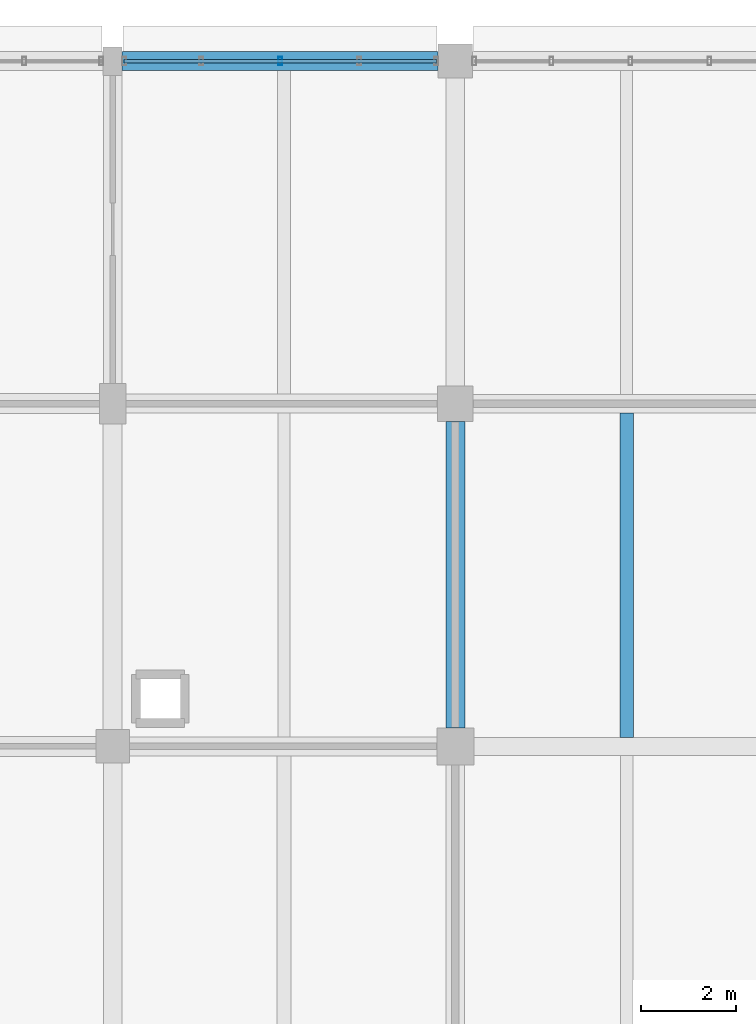
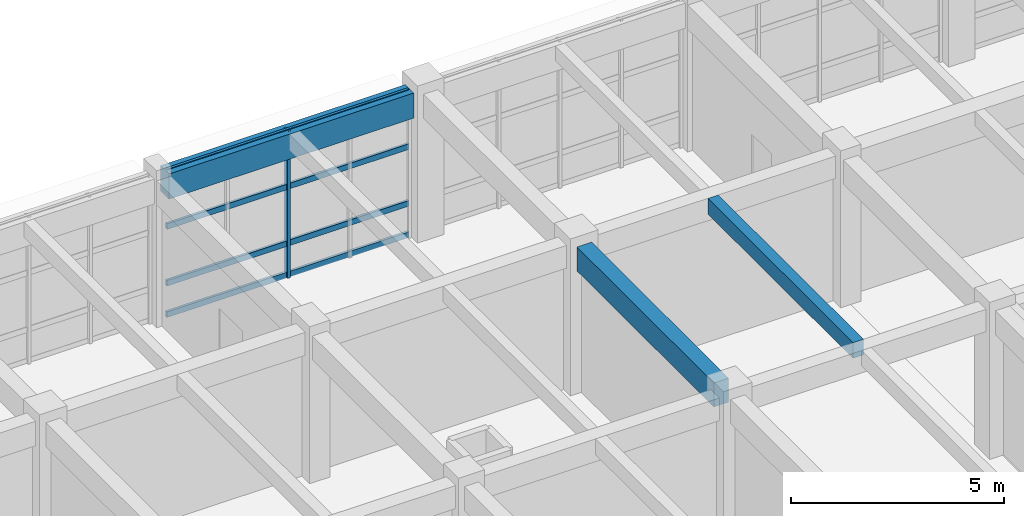
# One storey, part 69 of 171: 5 members, 3 beams, 1 element without a shape of its own.
"""IFC4 building model written with IfcOpenShell, lengths in metres."""

import ifcopenshell
import ifcopenshell.guid

model = None  # the IFC model being written
_history = None  # IfcOwnerHistory: only IFC2X3 demands one
_inside = {}  # id of a spatial element -> (the spatial element, [elements in it])
_under = {}  # id of a project, library or spatial element -> (it, [spatial elements below it])
_declared = {}  # id of a project -> (the project, [libraries it declares])
_typed = {}  # id of a type object -> (the type object, [elements of that type])
_made_of = {}  # id of a material, layer set ... -> (it, [elements and type objects made of it])


def new_model(schema):
    """Start an empty IFC model of exactly this schema.

    Asked for "IFC4X3", IfcOpenShell would pick the latest addendum, in which some entities
    have other attributes; the version numbers below select the first issue.
    IFC2X3 requires an IfcOwnerHistory on every rooted entity: one is made here for all.
    """
    global model, _history
    if schema == "IFC4X3":
        model = ifcopenshell.file(schema_version=(4, 3, 0, 0))
    else:
        model = ifcopenshell.file(schema=schema)
    _inside.clear()
    _under.clear()
    _declared.clear()
    _typed.clear()
    _made_of.clear()
    _history = None
    if model.schema == "IFC2X3":
        org = make("IfcOrganization", Name="unknown")
        user = make(
            "IfcPersonAndOrganization",
            ThePerson=make("IfcPerson", FamilyName="unknown"),
            TheOrganization=org,
        )
        app = make(
            "IfcApplication",
            ApplicationDeveloper=org,
            Version="unknown",
            ApplicationFullName="unknown",
            ApplicationIdentifier="unknown",
        )
        _history = make(
            "IfcOwnerHistory",
            OwningUser=user,
            OwningApplication=app,
            ChangeAction="ADDED",
            CreationDate=0,
        )
    return model


def make(cls, **values):
    """One entity of the class cls with the attributes given. An attribute that is None is left unset."""
    return model.create_entity(
        cls, **{name: value for name, value in values.items() if value is not None}
    )


def rooted(cls, **values):
    """An entity with a GlobalId (a new one), such as an element, a storey or a relation."""
    return make(cls, GlobalId=ifcopenshell.guid.new(), OwnerHistory=_history, **values)


def si_unit(unit_type, name, prefix=None):
    """IfcSIUnit, for example si_unit("LENGTHUNIT", "METRE", prefix="MILLI")."""
    return make("IfcSIUnit", UnitType=unit_type, Prefix=prefix, Name=name)


def assignment(units):
    """IfcUnitAssignment: the units of a project."""
    return None if units is None else make("IfcUnitAssignment", Units=units)


def point(xyz):
    """IfcCartesianPoint."""
    return None if xyz is None else make("IfcCartesianPoint", Coordinates=xyz)


def direction(xyz):
    """IfcDirection."""
    return None if xyz is None else make("IfcDirection", DirectionRatios=xyz)


def frame(location, z_axis=None, x_axis=None):
    """IfcAxis2Placement3D, a coordinate frame: its origin and axes. An axis left out is left unset."""
    return make(
        "IfcAxis2Placement3D",
        Location=point(location),
        Axis=direction(z_axis),
        RefDirection=direction(x_axis),
    )


def frame_2d(location, x_axis=None):
    """IfcAxis2Placement2D, a coordinate frame in the plane: its origin and x axis."""
    return make(
        "IfcAxis2Placement2D", Location=point(location), RefDirection=direction(x_axis)
    )


def origin():
    """The frame at (0, 0, 0) with its axes left unset."""
    return frame((0.0, 0.0, 0.0))


def origin_2d():
    """The frame at (0, 0) in the plane with its x axis left unset."""
    return frame_2d((0.0, 0.0))


def place(relative_to, where):
    """IfcLocalPlacement: puts the frame where relative to a parent placement (None: the world)."""
    return make(
        "IfcLocalPlacement", PlacementRelTo=relative_to, RelativePlacement=where
    )


def context(
    kind, dimensions, precision=None, world=None, true_north=None, identifier=None
):
    """IfcGeometricRepresentationContext, for example the 3D "Model" context."""
    return make(
        "IfcGeometricRepresentationContext",
        ContextIdentifier=identifier,
        ContextType=kind,
        CoordinateSpaceDimension=dimensions,
        Precision=precision,
        WorldCoordinateSystem=world,
        TrueNorth=true_north,
    )


def subcontext(parent, identifier, kind, view, scale=None):
    """IfcGeometricRepresentationSubContext, for example "Body" below "Model"."""
    return make(
        "IfcGeometricRepresentationSubContext",
        ContextIdentifier=identifier,
        ContextType=kind,
        ParentContext=parent,
        TargetScale=scale,
        TargetView=view,
    )


def project(units=None, contexts=None):
    """IfcProject with its units and contexts."""
    return rooted(
        "IfcProject",
        Name="project",
        RepresentationContexts=contexts,
        UnitsInContext=assignment(units),
    )


def spatial(cls, under=None, at=None, **own):
    """A site, building, storey or space (cls), placed at a placement, below another one or the project."""
    s = rooted(cls, ObjectPlacement=at, **own)
    if under is not None:
        _under.setdefault(under.id(), (under, []))[1].append(s)
    return s


def profile(cls, at=None, kind="AREA", **sizes):
    """A parametric profile (cls). Its sizes go by their IFC names, for example OverallWidth=200.0."""
    return make(cls, ProfileType=kind, Position=at, **sizes)


def rectangle(**sizes):
    """IfcRectangleProfileDef."""
    return profile("IfcRectangleProfileDef", **sizes)


def hollow_rectangle(**sizes):
    """IfcRectangleHollowProfileDef."""
    return profile("IfcRectangleHollowProfileDef", **sizes)


def extrude(swept, where, along, depth):
    """IfcExtrudedAreaSolid: the profile swept, set in the frame where, extruded along a direction by depth."""
    return make(
        "IfcExtrudedAreaSolid",
        SweptArea=swept,
        Position=where,
        ExtrudedDirection=direction(along),
        Depth=depth,
    )


def shape(context_of_items, identifier, shape_type, items):
    """IfcShapeRepresentation: the items that make up one representation, for example the "Body"."""
    return make(
        "IfcShapeRepresentation",
        ContextOfItems=context_of_items,
        RepresentationIdentifier=identifier,
        RepresentationType=shape_type,
        Items=items,
    )


def material(Name=None, Category=None):
    """IfcMaterial."""
    return make("IfcMaterial", Name=Name, Category=Category)


def material_profile(
    of_material, cross_section, Name=None, Category=None, Priority=None
):
    """IfcMaterialProfile: a cross section and its material."""
    return make(
        "IfcMaterialProfile",
        Name=Name,
        Material=of_material,
        Profile=cross_section,
        Priority=Priority,
        Category=Category,
    )


def profile_set(profiles, Name=None, composite=None):
    """IfcMaterialProfileSet."""
    return make(
        "IfcMaterialProfileSet",
        Name=Name,
        MaterialProfiles=profiles,
        CompositeProfile=composite,
    )


def made_of(thing, what):
    """Note that an element or type object is made of a material, layer set ...; save() writes the relation."""
    if what is not None:
        _made_of.setdefault(what.id(), (what, []))[1].append(thing)
    return thing


def type_object(cls, material=None, **own):
    """A type object (cls), such as IfcWallType, which elements share."""
    return made_of(rooted(cls, **own), material)


def element(
    cls,
    number,
    at=None,
    inside=None,
    cuts=None,
    type_object=None,
    material=None,
    context=None,
    identifier="Body",
    shape_type=None,
    held_by="IfcProductDefinitionShape",
    body=None,
    shapes=None,
    **own,
):
    """One element of the class cls, such as IfcWall. Its Tag is "e" and its number.

    at: its placement. inside: the storey or other place that contains it. cuts: it is an
    opening in that element (IfcRelVoidsElement). A single representation is given by context,
    identifier, shape_type and body (its items); several are given by shapes. held_by: the class
    of the entity that holds the representations. save() writes the other relations.
    """
    e = rooted(cls, Tag="e%d" % number, ObjectPlacement=at, **own)
    if body is not None:
        shapes = [shape(context, identifier, shape_type, body)]
    if shapes is not None:
        e.Representation = make(held_by, Representations=shapes)
    if inside is not None:
        _inside.setdefault(inside.id(), (inside, []))[1].append(e)
    if cuts is not None:
        rooted(
            "IfcRelVoidsElement", RelatingBuildingElement=cuts, RelatedOpeningElement=e
        )
    if type_object is not None:
        _typed.setdefault(type_object.id(), (type_object, []))[1].append(e)
    return made_of(e, material)


def aggregate(whole, parts):
    """IfcRelAggregates: a whole, such as a stair, and the parts it consists of."""
    return rooted("IfcRelAggregates", RelatingObject=whole, RelatedObjects=parts)


def save(model, path):
    """Write the relations noted so far, then the file.

    IfcRelAggregates (storeys below a building ...), IfcRelContainedInSpatialStructure (elements
    in a storey), IfcRelDefinesByType, IfcRelAssociatesMaterial and IfcRelDeclares: one each for
    every whole, place, type object, material and project.
    """
    for whole, parts in _under.values():
        aggregate(whole, parts)
    for where, things in _inside.values():
        rooted(
            "IfcRelContainedInSpatialStructure",
            RelatedElements=things,
            RelatingStructure=where,
        )
    for kind, things in _typed.values():
        rooted("IfcRelDefinesByType", RelatedObjects=things, RelatingType=kind)
    for what, things in _made_of.values():
        rooted("IfcRelAssociatesMaterial", RelatedObjects=things, RelatingMaterial=what)
    for by, libraries in _declared.values():
        rooted("IfcRelDeclares", RelatingContext=by, RelatedDefinitions=libraries)
    model.write(path)


model = new_model("IFC4")

# Units and contexts
model_context = context("Model", 3, precision=1e-05, world=origin(), true_north=direction((0.0, 1.0)))
body_context = subcontext(model_context, "Body", "Model", "MODEL_VIEW")
ifc_project = project(units=[si_unit("LENGTHUNIT", "METRE"), si_unit("AREAUNIT", "SQUARE_METRE"), si_unit("VOLUMEUNIT", "CUBIC_METRE"), si_unit("PLANEANGLEUNIT", "RADIAN"), si_unit("MASSUNIT", "GRAM", prefix="KILO")], contexts=[model_context])

# Site, building, storey
site_placement = place(None, origin())
site = spatial("IfcSite", under=ifc_project, at=site_placement, CompositionType="ELEMENT")
building_placement = place(site_placement, origin())
building = spatial("IfcBuilding", under=site, at=building_placement, Name="Thalmaran Polytechnic", CompositionType="ELEMENT")
storey_placement = place(building_placement, frame((0.0, 0.0, 5.39990234375)))
storey = spatial("IfcBuildingStorey", under=building, at=storey_placement, Name="L01", CompositionType="ELEMENT", Elevation=5.39990234375)

# Beams
ifc_material_1 = material(Name="Concrete C40/50", Category="concrete")
ifc_material_profile_1 = material_profile(ifc_material_1, rectangle(XDim=0.280029296875, YDim=0.449951171875, at=origin_2d()), Name="RC 280x450")
ifc_profile_set_1 = profile_set([ifc_material_profile_1], Name="Concrete C40/50")
beam_type_1 = type_object("IfcBeamType", Name="BM-RC13", PredefinedType="JOIST", material=ifc_profile_set_1)
beam_1_placement = place(storey_placement, frame((54.0, 108.18994140625, 3.985107421875), z_axis=(0.0, 1.0, 0.0), x_axis=(-1.0, 0.0, 0.0)))
element("IfcBeam", 1, at=beam_1_placement, inside=storey, type_object=beam_type_1, Name="Secondary Floor Rib RB03 L01 (7,15)", PredefinedType="JOIST", context=body_context, shape_type="SweptSolid", body=[
    extrude(rectangle(XDim=0.280029296875, YDim=0.449951171875, at=origin_2d()), origin(), (0.0, 0.0, 1.0), 6.820068359375),
])
ifc_material_profile_2 = material_profile(ifc_material_1, rectangle(XDim=0.39990234375, YDim=0.719970703125, at=origin_2d()), Name="RC 400x720")
ifc_profile_set_2 = profile_set([ifc_material_profile_2], Name="Concrete C40/50")
beam_type_2 = type_object("IfcBeamType", Name="BM-SP01", PredefinedType="SPANDREL", material=ifc_profile_set_2)
beam_2_placement = place(storey_placement, frame((43.39990234375, 122.39990234375, 3.85009765625), z_axis=(1.0, 0.0, 0.0), x_axis=(0.0, 1.0, 0.0)))
element("IfcBeam", 2, at=beam_2_placement, inside=storey, type_object=beam_type_2, Name="Grid Beam SP01 L01 X(6,17)", PredefinedType="SPANDREL", context=body_context, shape_type="SweptSolid", body=[
    extrude(rectangle(XDim=0.39990234375, YDim=0.719970703125, at=origin_2d()), origin(), (0.0, 0.0, 1.0), 6.64013671875),
])
ifc_material_profile_3 = material_profile(ifc_material_1, rectangle(XDim=0.39990234375, YDim=0.68505859375, at=origin_2d()), Name="RC 400x685")
ifc_profile_set_3 = profile_set([ifc_material_profile_3], Name="Concrete C40/50")
beam_type_3 = type_object("IfcBeamType", Name="BM-ZB07", PredefinedType="BEAM", material=ifc_profile_set_3)
beam_3_placement = place(storey_placement, frame((50.39990234375, 108.389892578125, 3.86767578125), z_axis=(0.0, 1.0, 0.0), x_axis=(-1.0, 0.0, 0.0)))
element("IfcBeam", 3, at=beam_3_placement, inside=storey, type_object=beam_type_3, Name="Grid Beam ZB07 L01 Y(7,15)", PredefinedType="BEAM", context=body_context, shape_type="SweptSolid", body=[
    extrude(rectangle(XDim=0.39990234375, YDim=0.68505859375, at=origin_2d()), origin(), (0.0, 0.0, 1.0), 6.43505859375),
])

# Curtain wall, members
ifc_material_2 = material(Name="Aluminium 6063-T6", Category="aluminium")
curtain_wall_type = type_object("IfcCurtainWallType", Name="CW-UC02", PredefinedType="USERDEFINED", material=ifc_material_2)
curtain_wall_placement = place(storey_placement, origin())
curtain_wall = element("IfcCurtainWall", 4, at=curtain_wall_placement, inside=storey, type_object=curtain_wall_type, Name="Curtain Wall CW-L01-085", ObjectType="UNITISED CURTAIN WALL", PredefinedType="USERDEFINED")
ifc_material_profile_4 = material_profile(ifc_material_2, hollow_rectangle(XDim=0.080078125, YDim=0.179931640625, WallThickness=0.0048828125, at=origin_2d()), Name="RHS 180x80x5.0")
ifc_profile_set_4 = profile_set([ifc_material_profile_4], Name="Aluminium 6063-T6")
member_type_1 = type_object("IfcMemberType", Name="CW-MUL1", PredefinedType="MULLION", material=ifc_profile_set_4)
member_1_placement = place(storey_placement, frame((46.719970703125, 122.39990234375, 0.0), z_axis=(0.0, 0.0, 1.0), x_axis=(1.0, 0.0, 0.0)))
member_1 = element("IfcMember", 5, at=member_1_placement, type_object=member_type_1, Name="CW-L01-085 Mullion 3", PredefinedType="MULLION", context=body_context, shape_type="SweptSolid", body=[
    extrude(hollow_rectangle(XDim=0.080078125, YDim=0.179931640625, WallThickness=0.0048828125, at=origin_2d()), origin(), (0.0, 0.0, 1.0), 4.210205078125),
])
ifc_material_profile_5 = material_profile(ifc_material_2, hollow_rectangle(XDim=0.070068359375, YDim=0.159912109375, WallThickness=0.00390625, at=origin_2d()), Name="AL 160x70x4.0")
ifc_profile_set_5 = profile_set([ifc_material_profile_5], Name="Aluminium 6063-T6")
member_type_2 = type_object("IfcMemberType", Name="CW-TRN1", PredefinedType="USERDEFINED", material=ifc_profile_set_5)
member_2_placement = place(storey_placement, frame((43.43994140625, 122.39990234375, 0.06005859375), z_axis=(1.0, 0.0, 0.0), x_axis=(0.0, 1.0, 0.0)))
member_2 = element("IfcMember", 6, at=member_2_placement, type_object=member_type_2, Name="CW-L01-085 Transom 1", ObjectType="TRANSOM", PredefinedType="USERDEFINED", context=body_context, shape_type="SweptSolid", body=[
    extrude(hollow_rectangle(XDim=0.070068359375, YDim=0.159912109375, WallThickness=0.00390625, at=origin_2d()), origin(), (0.0, 0.0, 1.0), 6.56005859375),
])
member_3_placement = place(storey_placement, frame((43.43994140625, 122.39990234375, 0.960205078125), z_axis=(1.0, 0.0, 0.0), x_axis=(0.0, 1.0, 0.0)))
member_3 = element("IfcMember", 7, at=member_3_placement, type_object=member_type_2, Name="CW-L01-085 Transom 2", ObjectType="TRANSOM", PredefinedType="USERDEFINED", context=body_context, shape_type="SweptSolid", body=[
    extrude(hollow_rectangle(XDim=0.070068359375, YDim=0.159912109375, WallThickness=0.00390625, at=origin_2d()), origin(), (0.0, 0.0, 1.0), 6.56005859375),
])
member_4_placement = place(storey_placement, frame((43.43994140625, 122.39990234375, 2.585205078125), z_axis=(1.0, 0.0, 0.0), x_axis=(0.0, 1.0, 0.0)))
member_4 = element("IfcMember", 8, at=member_4_placement, type_object=member_type_2, Name="CW-L01-085 Transom 3", ObjectType="TRANSOM", PredefinedType="USERDEFINED", context=body_context, shape_type="SweptSolid", body=[
    extrude(hollow_rectangle(XDim=0.070068359375, YDim=0.159912109375, WallThickness=0.00390625, at=origin_2d()), origin(), (0.0, 0.0, 1.0), 6.56005859375),
])
member_5_placement = place(storey_placement, frame((43.43994140625, 122.39990234375, 4.150146484375), z_axis=(1.0, 0.0, 0.0), x_axis=(0.0, 1.0, 0.0)))
member_5 = element("IfcMember", 9, at=member_5_placement, type_object=member_type_2, Name="CW-L01-085 Transom 4", ObjectType="TRANSOM", PredefinedType="USERDEFINED", context=body_context, shape_type="SweptSolid", body=[
    extrude(hollow_rectangle(XDim=0.070068359375, YDim=0.159912109375, WallThickness=0.00390625, at=origin_2d()), origin(), (0.0, 0.0, 1.0), 6.56005859375),
])
aggregate(curtain_wall, [member_1, member_2, member_3, member_4, member_5])

save(model, "model.ifc")
